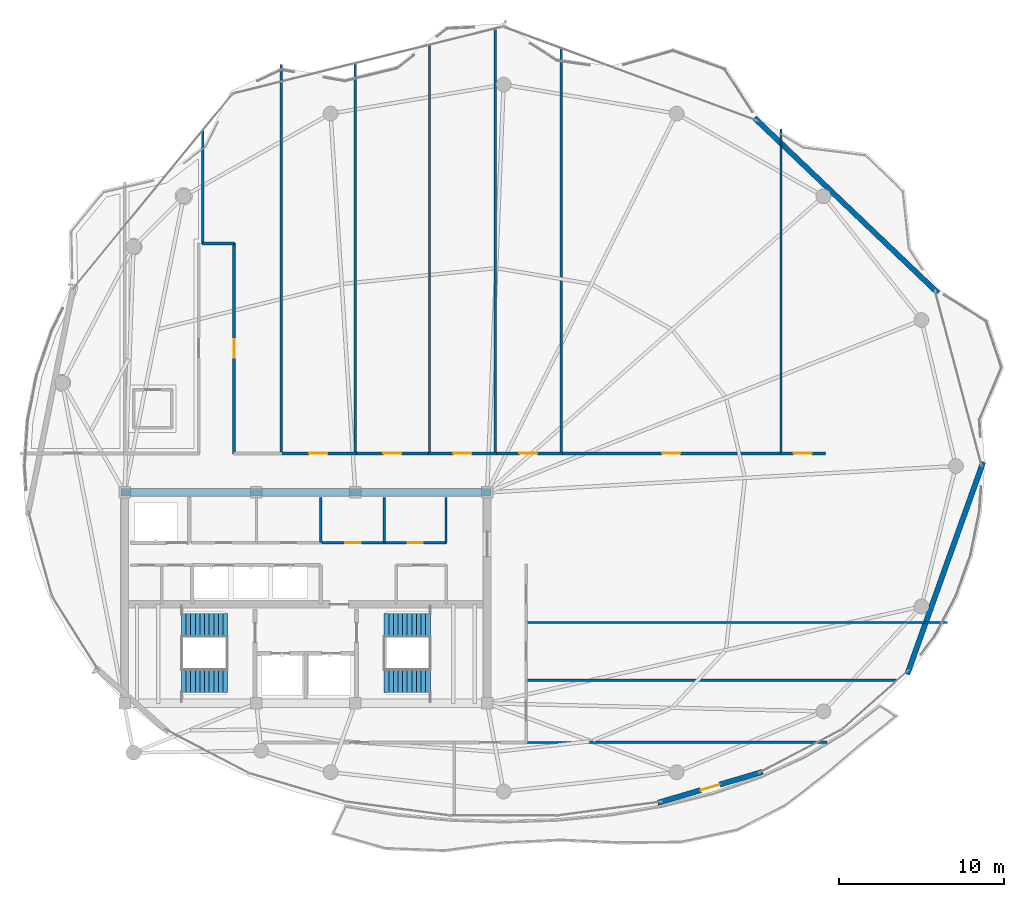
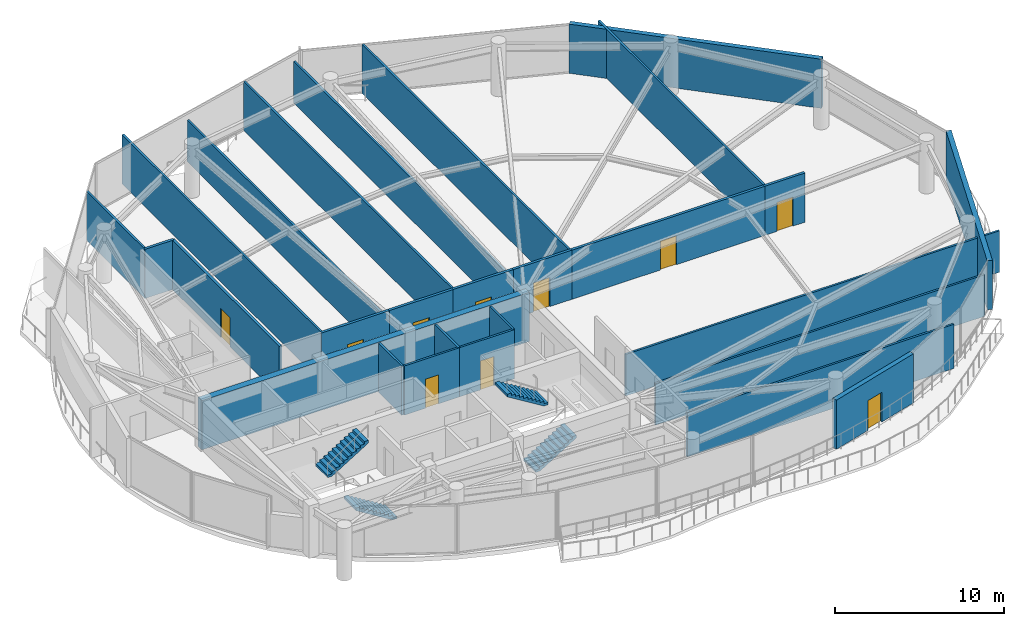
# One storey, part 25 of 29: 27 walls, 10 doors, 4 stair flights, 10 openings, 2 elements without a shape of their own.
"""IFC4 building model written with IfcOpenShell, lengths in metres."""

from ifc_helpers import new_model, si_unit, direction, frame, frame_2d, origin, place, context, subcontext, project, spatial, polyline, rectangle, outline, extrude, material, layer, layer_set, type_object, element, fill, aggregate, save


model = new_model("IFC4")

# Units and contexts
model_context = context("Model", 3, precision=1e-05, world=origin(), true_north=direction((0.0, 1.0)))
body_context = subcontext(model_context, "Body", "Model", "MODEL_VIEW")
ifc_project = project(units=[si_unit("LENGTHUNIT", "METRE"), si_unit("AREAUNIT", "SQUARE_METRE"), si_unit("VOLUMEUNIT", "CUBIC_METRE"), si_unit("PLANEANGLEUNIT", "RADIAN"), si_unit("MASSUNIT", "GRAM", prefix="KILO")], contexts=[model_context])

# Site, building, storey
site_placement = place(None, origin())
site = spatial("IfcSite", under=ifc_project, at=site_placement, CompositionType="ELEMENT")
building_placement = place(site_placement, origin())
building = spatial("IfcBuilding", under=site, at=building_placement, Name="Kazevale Care Tower and Concert Hall", CompositionType="ELEMENT")
storey_placement = place(building_placement, frame((0.0, 0.0, 281.39990234375)))
storey = spatial("IfcBuildingStorey", under=building, at=storey_placement, Name="L74", CompositionType="ELEMENT", Elevation=281.39990234375)

# Wall
ifc_material_1 = material(Name="Acoustic Gypsum on Steel Stud", Category="steel")
ifc_layer_1 = layer(ifc_material_1, 0.139892578125)
ifc_layer_set_1 = layer_set([ifc_layer_1], Name="Acoustic Gypsum on Steel Stud")
wall_type_1 = type_object("IfcWallType", Name="Acoustic Care & Suite Partition 140", PredefinedType="PARTITIONING", material=ifc_layer_set_1)
wall_1_placement = place(storey_placement, frame((33.89990234375, 33.35009765625, 0.0), z_axis=(0.0, 0.0, 1.0), x_axis=(0.0, 1.0, 0.0)))
element("IfcWall", 1, at=wall_1_placement, inside=storey, type_object=wall_type_1, Name="wall:L74:c_rpl_e", PredefinedType="PARTITIONING", context=body_context, shape_type="SweptSolid", body=[
    extrude(rectangle(XDim=2.75, YDim=0.139892578125, at=frame_2d((1.375, 0.0))), origin(), (0.0, 0.0, 1.0), 3.56005859375),
])

# Wall, opening, door
wall_2_placement = place(storey_placement, frame((33.97998046875, 33.35009765625, 0.0), z_axis=(0.0, 0.0, 1.0), x_axis=(1.0, 0.0, 0.0)))
wall_2 = element("IfcWall", 2, at=wall_2_placement, inside=storey, type_object=wall_type_1, Name="wall:L74:c_rpm1_s", PredefinedType="PARTITIONING", context=body_context, shape_type="SweptSolid", body=[
    extrude(rectangle(XDim=3.77001953125, YDim=0.139892578125, at=frame_2d((1.885009765625, 0.0))), origin(), (0.0, 0.0, 1.0), 3.56005859375),
])
opening_1_placement = place(wall_2_placement, frame((1.425048828125, 0.0, 0.0)))
opening_1 = element("IfcOpeningElement", 3, at=opening_1_placement, cuts=wall_2, Name="Opening ID-900", PredefinedType="OPENING", context=body_context, shape_type="SweptSolid", body=[
    extrude(rectangle(XDim=0.919921875, YDim=2.10009765625, at=frame_2d((0.4599609375, 1.050048828125))), frame((0.0, 0.079833984375, 0.0), z_axis=(0.0, -1.0, 0.0), x_axis=(1.0, 0.0, 0.0)), (0.0, 0.0, 1.0), 0.159912109375),
])
ifc_material_2 = material(Name="Oak Timber Fire Leaf", Category="wood")
door_type_1 = type_object("IfcDoorType", Name="Bathroom & Service Door 920x2100", OperationType="NOTDEFINED", PredefinedType="DOOR", material=ifc_material_2)
door_1_placement = place(opening_1_placement, origin())
door_1 = element("IfcDoor", 4, at=door_1_placement, inside=storey, type_object=door_type_1, Name="door:L74:d_rpm1", OperationType="SINGLE_SWING_LEFT", OverallHeight=2.10009765625, OverallWidth=0.919921875, PredefinedType="DOOR", context=body_context, shape_type="SweptSolid", body=[
    extrude(rectangle(XDim=0.919921875, YDim=2.10009765625, at=frame_2d((0.4599609375, 1.050048828125))), frame((0.0, 0.02490234375, 0.0), z_axis=(0.0, -1.0, 0.0), x_axis=(1.0, 0.0, 0.0)), (0.0, 0.0, 1.0), 0.050048828125),
])
fill(opening_1, door_1)

wall_3_placement = place(storey_placement, frame((37.75, 33.35009765625, 0.0), z_axis=(0.0, 0.0, 1.0), x_axis=(1.0, 0.0, 0.0)))
wall_3 = element("IfcWall", 5, at=wall_3_placement, inside=storey, type_object=wall_type_1, Name="wall:L74:c_rpm2_s", PredefinedType="PARTITIONING", context=body_context, shape_type="SweptSolid", body=[
    extrude(rectangle(XDim=3.77001953125, YDim=0.139892578125, at=frame_2d((1.885009765625, 0.0))), origin(), (0.0, 0.0, 1.0), 3.56005859375),
])
opening_2_placement = place(wall_3_placement, frame((1.425048828125, 0.0, 0.0)))
opening_2 = element("IfcOpeningElement", 6, at=opening_2_placement, cuts=wall_3, Name="Opening ID-900", PredefinedType="OPENING", context=body_context, shape_type="SweptSolid", body=[
    extrude(rectangle(XDim=0.919921875, YDim=2.10009765625, at=frame_2d((0.4599609375, 1.050048828125))), frame((0.0, 0.079833984375, 0.0), z_axis=(0.0, -1.0, 0.0), x_axis=(1.0, 0.0, 0.0)), (0.0, 0.0, 1.0), 0.159912109375),
])
door_2_placement = place(opening_2_placement, origin())
door_2 = element("IfcDoor", 7, at=door_2_placement, inside=storey, type_object=door_type_1, Name="door:L74:d_rpm2", OperationType="SINGLE_SWING_RIGHT", OverallHeight=2.10009765625, OverallWidth=0.919921875, PredefinedType="DOOR", context=body_context, shape_type="SweptSolid", body=[
    extrude(rectangle(XDim=0.919921875, YDim=2.10009765625, at=frame_2d((0.4599609375, 1.050048828125))), frame((0.0, 0.02490234375, 0.0), z_axis=(0.0, -1.0, 0.0), x_axis=(1.0, 0.0, 0.0)), (0.0, 0.0, 1.0), 0.050048828125),
])
fill(opening_2, door_2)

# Walls
for number, where, z_axis, x_axis, name in (
    (8, (37.75, 33.35009765625, 0.0), (0.0, 0.0, 1.0), (0.0, 1.0, 0.0), "wall:L74:c_rpm_m"),
    (9, (41.5, 33.35009765625, 0.0), (0.0, 0.0, 1.0), (0.0, 1.0, 0.0), "wall:L74:c_rpm_e"),
):
    element("IfcWall", number, at=place(storey_placement, frame(where, z_axis=z_axis, x_axis=x_axis)), inside=storey, type_object=wall_type_1, Name=name, PredefinedType="PARTITIONING", context=body_context, shape_type="SweptSolid", body=[
        extrude(rectangle(XDim=2.75, YDim=0.139892578125, at=frame_2d((1.375, 0.0))), origin(), (0.0, 0.0, 1.0), 3.56005859375),
    ])
wall_4_placement = place(storey_placement, frame((26.75, 58.376708984375, 0.0), z_axis=(0.0, 0.0, 1.0), x_axis=(0.0, -1.0, 0.0)))
element("IfcWall", 10, at=wall_4_placement, inside=storey, type_object=wall_type_1, Name="wall:L74:auto_019", PredefinedType="PARTITIONING", context=body_context, shape_type="SweptSolid", body=[
    extrude(rectangle(XDim=6.90673828125, YDim=0.139892578125, at=frame_2d((3.453369140625, 0.0))), origin(), (0.0, 0.0, 1.0), 3.56005859375),
])
wall_5_placement = place(storey_placement, frame((31.5, 62.37890625, 0.0), z_axis=(0.0, 0.0, 1.0), x_axis=(0.0, -1.0, 0.0)))
element("IfcWall", 11, at=wall_5_placement, inside=storey, type_object=wall_type_1, Name="wall:L74:auto_020", PredefinedType="PARTITIONING", context=body_context, shape_type="SweptSolid", body=[
    extrude(rectangle(XDim=23.6337890625, YDim=0.139892578125, at=frame_2d((11.81689453125, 0.0))), origin(), (0.0, 0.0, 1.0), 3.56005859375),
])
wall_6_placement = place(storey_placement, frame((36.0, 62.435302734375, 0.0), z_axis=(0.0, 0.0, 1.0), x_axis=(0.0, -1.0, 0.0)))
element("IfcWall", 12, at=wall_6_placement, inside=storey, type_object=wall_type_1, Name="wall:L74:auto_021", PredefinedType="PARTITIONING", context=body_context, shape_type="SweptSolid", body=[
    extrude(rectangle(XDim=23.690185546875, YDim=0.139892578125, at=frame_2d((11.84521484375, 0.0))), origin(), (0.0, 0.0, 1.0), 3.006103515625),
])
wall_7_placement = place(storey_placement, frame((40.5, 63.55224609375, 0.0), z_axis=(0.0, 0.0, 1.0), x_axis=(0.0, -1.0, 0.0)))
element("IfcWall", 13, at=wall_7_placement, inside=storey, type_object=wall_type_1, Name="wall:L74:auto_022", PredefinedType="PARTITIONING", context=body_context, shape_type="SweptSolid", body=[
    extrude(rectangle(XDim=24.80712890625, YDim=0.139892578125, at=frame_2d((12.403564453125, 0.0))), origin(), (0.0, 0.0, 1.0), 3.56005859375),
])
wall_8_placement = place(storey_placement, frame((44.5, 64.545166015625, 0.0), z_axis=(0.0, 0.0, 1.0), x_axis=(0.0, -1.0, 0.0)))
element("IfcWall", 14, at=wall_8_placement, inside=storey, type_object=wall_type_1, Name="wall:L74:auto_023", PredefinedType="PARTITIONING", context=body_context, shape_type="SweptSolid", body=[
    extrude(rectangle(XDim=25.800048828125, YDim=0.139892578125, at=frame_2d((12.89990234375, 0.0))), origin(), (0.0, 0.0, 1.0), 3.006103515625),
])
wall_9_placement = place(storey_placement, frame((48.5, 63.344482421875, 0.0), z_axis=(0.0, 0.0, 1.0), x_axis=(0.0, -1.0, 0.0)))
element("IfcWall", 15, at=wall_9_placement, inside=storey, type_object=wall_type_1, Name="wall:L74:auto_024", PredefinedType="PARTITIONING", context=body_context, shape_type="SweptSolid", body=[
    extrude(rectangle(XDim=24.599365234375, YDim=0.139892578125, at=frame_2d((12.2998046875, 0.0))), origin(), (0.0, 0.0, 1.0), 3.56005859375),
])
wall_10_placement = place(storey_placement, frame((61.840087890625, 58.464111328125, 0.0), z_axis=(0.0, 0.0, 1.0), x_axis=(0.0, -1.0, 0.0)))
element("IfcWall", 16, at=wall_10_placement, inside=storey, type_object=wall_type_1, Name="wall:L74:auto_025", PredefinedType="PARTITIONING", context=body_context, shape_type="SweptSolid", body=[
    extrude(rectangle(XDim=19.718994140625, YDim=0.139892578125, at=frame_2d((9.859375, 0.0))), origin(), (0.0, 0.0, 1.0), 3.56005859375),
])
wall_11_placement = place(storey_placement, frame((46.344970703125, 25.0, 0.0), z_axis=(0.0, 0.0, 1.0), x_axis=(1.0, 0.0, 0.0)))
element("IfcWall", 17, at=wall_11_placement, inside=storey, type_object=wall_type_1, Name="wall:L74:auto_026", PredefinedType="PARTITIONING", context=body_context, shape_type="SweptSolid", body=[
    extrude(rectangle(XDim=22.53857421875, YDim=0.139892578125, at=frame_2d((11.269287109375, 0.0))), origin(), (0.0, 0.0, 1.0), 3.006103515625),
])
wall_12_placement = place(storey_placement, frame((64.62109375, 21.242919921875, 0.0), z_axis=(0.0, 0.0, 1.0), x_axis=(-0.999999524525, -0.000975166183, 0.0)))
element("IfcWall", 18, at=wall_12_placement, inside=storey, type_object=wall_type_1, Name="wall:L74:auto_027", PredefinedType="PARTITIONING", context=body_context, shape_type="SweptSolid", body=[
    extrude(rectangle(XDim=18.276123046875, YDim=0.139892578125, at=frame_2d((9.13818359375, 0.0))), origin(), (0.0, 0.0, 1.0), 3.196044921875),
])
wall_13_placement = place(storey_placement, frame((46.344970703125, 28.5, 0.0), z_axis=(0.0, 0.0, 1.0), x_axis=(1.0, 0.0, 0.0)))
element("IfcWall", 19, at=wall_13_placement, inside=storey, type_object=wall_type_1, Name="wall:L74:auto_028", PredefinedType="PARTITIONING", context=body_context, shape_type="SweptSolid", body=[
    extrude(rectangle(XDim=25.588134765625, YDim=0.139892578125, at=frame_2d((12.7939453125, 0.0))), origin(), (0.0, 0.0, 1.0), 3.006103515625),
])
ifc_material_3 = material(Name="Concrete C50", Category="concrete")
ifc_layer_2 = layer(ifc_material_3, 0.449951171875)
ifc_layer_set_2 = layer_set([ifc_layer_2], Name="Concrete C50")
wall_type_2 = type_object("IfcWallType", Name="Core Shear Wall 450 C50", PredefinedType="SHEAR", material=ifc_layer_set_2)
wall_14_placement = place(storey_placement, frame((21.77490234375, 36.39990234375, 0.0), z_axis=(0.0, 0.0, 1.0), x_axis=(1.0, 0.0, 0.0)))
element("IfcWall", 20, at=wall_14_placement, inside=storey, type_object=wall_type_2, Name="wall:L74:core:N", PredefinedType="SHEAR", context=body_context, shape_type="SweptSolid", body=[
    extrude(rectangle(XDim=22.4501953125, YDim=0.449951171875, at=frame_2d((11.22509765625, 0.0))), origin(), (0.0, 0.0, 1.0), 3.56005859375),
])

# Wall, opening, door
ifc_material_4 = material(Name="Concrete C40 and Acoustic Gypsum", Category="concrete")
ifc_layer_3 = layer(ifc_material_4, 0.179931640625)
ifc_layer_set_3 = layer_set([ifc_layer_3], Name="Concrete C40 and Acoustic Gypsum")
wall_type_3 = type_object("IfcWallType", Name="Fire-Rated Corridor & Party Wall 180", PredefinedType="PARTITIONING", material=ifc_layer_set_3)
wall_15_placement = place(storey_placement, frame((28.64990234375, 51.530029296875, 0.0), z_axis=(0.0, 0.0, 1.0), x_axis=(0.0, -1.0, 0.0)))
wall_15 = element("IfcWall", 21, at=wall_15_placement, inside=storey, type_object=wall_type_3, Name="wall:L74:auto_004", PredefinedType="PARTITIONING", context=body_context, shape_type="SweptSolid", body=[
    extrude(rectangle(XDim=12.784912109375, YDim=0.179931640625, at=frame_2d((6.392578125, 0.0))), origin(), (0.0, 0.0, 1.0), 3.56005859375),
])
opening_3_placement = place(wall_15_placement, frame((5.843017578125, 0.0, 0.0)))
opening_3 = element("IfcOpeningElement", 22, at=opening_3_placement, cuts=wall_15, Name="Opening ID-1100", PredefinedType="OPENING", context=body_context, shape_type="SweptSolid", body=[
    extrude(rectangle(XDim=1.10009765625, YDim=2.10009765625, at=frame_2d((0.550048828125, 1.050048828125))), frame((0.0, 0.099853515625, 0.0), z_axis=(0.0, -1.0, 0.0), x_axis=(1.0, 0.0, 0.0)), (0.0, 0.0, 1.0), 0.199951171875),
])
door_type_2 = type_object("IfcDoorType", Name="Care Bedroom Accessible Door 1100x2100", OperationType="NOTDEFINED", PredefinedType="DOOR", material=ifc_material_2)
door_3_placement = place(opening_3_placement, origin())
door_3 = element("IfcDoor", 23, at=door_3_placement, inside=storey, type_object=door_type_2, Name="door:L74:ad_004", OperationType="SINGLE_SWING_LEFT", OverallHeight=2.10009765625, OverallWidth=1.10009765625, PredefinedType="DOOR", context=body_context, shape_type="SweptSolid", body=[
    extrude(rectangle(XDim=1.10009765625, YDim=2.10009765625, at=frame_2d((0.550048828125, 1.050048828125))), frame((0.0, 0.02490234375, 0.0), z_axis=(0.0, -1.0, 0.0), x_axis=(1.0, 0.0, 0.0)), (0.0, 0.0, 1.0), 0.050048828125),
])
fill(opening_3, door_3)

# Wall
wall_16_placement = place(storey_placement, frame((26.68505859375, 51.5, 0.0), z_axis=(0.0, 0.0, 1.0), x_axis=(1.0, 0.0, 0.0)))
element("IfcWall", 24, at=wall_16_placement, inside=storey, type_object=wall_type_3, Name="wall:L74:auto_006", PredefinedType="PARTITIONING", context=body_context, shape_type="SweptSolid", body=[
    extrude(rectangle(XDim=1.994873046875, YDim=0.179931640625, at=frame_2d((0.99755859375, 0.0))), origin(), (0.0, 0.0, 1.0), 3.56005859375),
])

# Wall, opening, door
wall_17_placement = place(storey_placement, frame((31.43505859375, 38.77490234375, 0.0), z_axis=(0.0, 0.0, 1.0), x_axis=(1.0, 0.0, 0.0)))
wall_17 = element("IfcWall", 25, at=wall_17_placement, inside=storey, type_object=wall_type_3, Name="wall:L74:auto_007", PredefinedType="PARTITIONING", context=body_context, shape_type="SweptSolid", body=[
    extrude(rectangle(XDim=4.6298828125, YDim=0.179931640625, at=frame_2d((2.31494140625, 0.0))), origin(), (0.0, 0.0, 1.0), 3.56005859375),
])
opening_4_placement = place(wall_17_placement, frame((1.764892578125, 0.0, 0.0)))
opening_4 = element("IfcOpeningElement", 26, at=opening_4_placement, cuts=wall_17, Name="Opening ID-1100", PredefinedType="OPENING", context=body_context, shape_type="SweptSolid", body=[
    extrude(rectangle(XDim=1.10009765625, YDim=2.10009765625, at=frame_2d((0.550048828125, 1.050048828125))), frame((0.0, 0.099853515625, 0.0), z_axis=(0.0, -1.0, 0.0), x_axis=(1.0, 0.0, 0.0)), (0.0, 0.0, 1.0), 0.199951171875),
])
door_4_placement = place(opening_4_placement, origin())
door_4 = element("IfcDoor", 27, at=door_4_placement, inside=storey, type_object=door_type_2, Name="door:L74:ad_007", OperationType="SINGLE_SWING_LEFT", OverallHeight=2.10009765625, OverallWidth=1.10009765625, PredefinedType="DOOR", context=body_context, shape_type="SweptSolid", body=[
    extrude(rectangle(XDim=1.10009765625, YDim=2.10009765625, at=frame_2d((0.550048828125, 1.050048828125))), frame((0.0, 0.02490234375, 0.0), z_axis=(0.0, -1.0, 0.0), x_axis=(1.0, 0.0, 0.0)), (0.0, 0.0, 1.0), 0.050048828125),
])
fill(opening_4, door_4)

wall_18_placement = place(storey_placement, frame((35.93505859375, 38.77490234375, 0.0), z_axis=(0.0, 0.0, 1.0), x_axis=(1.0, 0.0, 0.0)))
wall_18 = element("IfcWall", 28, at=wall_18_placement, inside=storey, type_object=wall_type_3, Name="wall:L74:auto_008", PredefinedType="PARTITIONING", context=body_context, shape_type="SweptSolid", body=[
    extrude(rectangle(XDim=4.6298828125, YDim=0.179931640625, at=frame_2d((2.31494140625, 0.0))), origin(), (0.0, 0.0, 1.0), 3.56005859375),
])
opening_5_placement = place(wall_18_placement, frame((1.764892578125, 0.0, 0.0)))
opening_5 = element("IfcOpeningElement", 29, at=opening_5_placement, cuts=wall_18, Name="Opening ID-1100", PredefinedType="OPENING", context=body_context, shape_type="SweptSolid", body=[
    extrude(rectangle(XDim=1.10009765625, YDim=2.10009765625, at=frame_2d((0.550048828125, 1.050048828125))), frame((0.0, 0.099853515625, 0.0), z_axis=(0.0, -1.0, 0.0), x_axis=(1.0, 0.0, 0.0)), (0.0, 0.0, 1.0), 0.199951171875),
])
door_5_placement = place(opening_5_placement, origin())
door_5 = element("IfcDoor", 30, at=door_5_placement, inside=storey, type_object=door_type_2, Name="door:L74:ad_008", OperationType="SINGLE_SWING_LEFT", OverallHeight=2.10009765625, OverallWidth=1.10009765625, PredefinedType="DOOR", context=body_context, shape_type="SweptSolid", body=[
    extrude(rectangle(XDim=1.10009765625, YDim=2.10009765625, at=frame_2d((0.550048828125, 1.050048828125))), frame((0.0, 0.02490234375, 0.0), z_axis=(0.0, -1.0, 0.0), x_axis=(1.0, 0.0, 0.0)), (0.0, 0.0, 1.0), 0.050048828125),
])
fill(opening_5, door_5)

wall_19_placement = place(storey_placement, frame((40.43505859375, 38.77490234375, 0.0), z_axis=(0.0, 0.0, 1.0), x_axis=(1.0, 0.0, 0.0)))
wall_19 = element("IfcWall", 31, at=wall_19_placement, inside=storey, type_object=wall_type_3, Name="wall:L74:auto_009", PredefinedType="PARTITIONING", context=body_context, shape_type="SweptSolid", body=[
    extrude(rectangle(XDim=4.1298828125, YDim=0.179931640625, at=frame_2d((2.06494140625, 0.0))), origin(), (0.0, 0.0, 1.0), 3.56005859375),
])
opening_6_placement = place(wall_19_placement, frame((1.514892578125, 0.0, 0.0)))
opening_6 = element("IfcOpeningElement", 32, at=opening_6_placement, cuts=wall_19, Name="Opening ID-1100", PredefinedType="OPENING", context=body_context, shape_type="SweptSolid", body=[
    extrude(rectangle(XDim=1.10009765625, YDim=2.10009765625, at=frame_2d((0.550048828125, 1.050048828125))), frame((0.0, 0.099853515625, 0.0), z_axis=(0.0, -1.0, 0.0), x_axis=(1.0, 0.0, 0.0)), (0.0, 0.0, 1.0), 0.199951171875),
])
door_6_placement = place(opening_6_placement, origin())
door_6 = element("IfcDoor", 33, at=door_6_placement, inside=storey, type_object=door_type_2, Name="door:L74:ad_009", OperationType="SINGLE_SWING_LEFT", OverallHeight=2.10009765625, OverallWidth=1.10009765625, PredefinedType="DOOR", context=body_context, shape_type="SweptSolid", body=[
    extrude(rectangle(XDim=1.10009765625, YDim=2.10009765625, at=frame_2d((0.550048828125, 1.050048828125))), frame((0.0, 0.02490234375, 0.0), z_axis=(0.0, -1.0, 0.0), x_axis=(1.0, 0.0, 0.0)), (0.0, 0.0, 1.0), 0.050048828125),
])
fill(opening_6, door_6)

wall_20_placement = place(storey_placement, frame((44.43505859375, 38.77490234375, 0.0), z_axis=(0.0, 0.0, 1.0), x_axis=(1.0, 0.0, 0.0)))
wall_20 = element("IfcWall", 34, at=wall_20_placement, inside=storey, type_object=wall_type_3, Name="wall:L74:auto_010", PredefinedType="PARTITIONING", context=body_context, shape_type="SweptSolid", body=[
    extrude(rectangle(XDim=4.1298828125, YDim=0.179931640625, at=frame_2d((2.06494140625, 0.0))), origin(), (0.0, 0.0, 1.0), 3.56005859375),
])
opening_7_placement = place(wall_20_placement, frame((1.514892578125, 0.0, 0.0)))
opening_7 = element("IfcOpeningElement", 35, at=opening_7_placement, cuts=wall_20, Name="Opening ID-1100", PredefinedType="OPENING", context=body_context, shape_type="SweptSolid", body=[
    extrude(rectangle(XDim=1.10009765625, YDim=2.10009765625, at=frame_2d((0.550048828125, 1.050048828125))), frame((0.0, 0.099853515625, 0.0), z_axis=(0.0, -1.0, 0.0), x_axis=(1.0, 0.0, 0.0)), (0.0, 0.0, 1.0), 0.199951171875),
])
door_7_placement = place(opening_7_placement, origin())
door_7 = element("IfcDoor", 36, at=door_7_placement, inside=storey, type_object=door_type_2, Name="door:L74:ad_010", OperationType="SINGLE_SWING_LEFT", OverallHeight=2.10009765625, OverallWidth=1.10009765625, PredefinedType="DOOR", context=body_context, shape_type="SweptSolid", body=[
    extrude(rectangle(XDim=1.10009765625, YDim=2.10009765625, at=frame_2d((0.550048828125, 1.050048828125))), frame((0.0, 0.02490234375, 0.0), z_axis=(0.0, -1.0, 0.0), x_axis=(1.0, 0.0, 0.0)), (0.0, 0.0, 1.0), 0.050048828125),
])
fill(opening_7, door_7)

wall_21_placement = place(storey_placement, frame((48.43505859375, 38.77490234375, 0.0), z_axis=(0.0, 0.0, 1.0), x_axis=(1.0, 0.0, 0.0)))
wall_21 = element("IfcWall", 37, at=wall_21_placement, inside=storey, type_object=wall_type_3, Name="wall:L74:auto_011", PredefinedType="PARTITIONING", context=body_context, shape_type="SweptSolid", body=[
    extrude(rectangle(XDim=13.469970703125, YDim=0.179931640625, at=frame_2d((6.73486328125, 0.0))), origin(), (0.0, 0.0, 1.0), 3.56005859375),
])
opening_8_placement = place(wall_21_placement, frame((6.18505859375, 0.0, 0.0)))
opening_8 = element("IfcOpeningElement", 38, at=opening_8_placement, cuts=wall_21, Name="Opening ID-1100", PredefinedType="OPENING", context=body_context, shape_type="SweptSolid", body=[
    extrude(rectangle(XDim=1.10009765625, YDim=2.10009765625, at=frame_2d((0.550048828125, 1.050048828125))), frame((0.0, 0.099853515625, 0.0), z_axis=(0.0, -1.0, 0.0), x_axis=(1.0, 0.0, 0.0)), (0.0, 0.0, 1.0), 0.199951171875),
])
door_8_placement = place(opening_8_placement, origin())
door_8 = element("IfcDoor", 39, at=door_8_placement, inside=storey, type_object=door_type_2, Name="door:L74:ad_011", OperationType="SINGLE_SWING_LEFT", OverallHeight=2.10009765625, OverallWidth=1.10009765625, PredefinedType="DOOR", context=body_context, shape_type="SweptSolid", body=[
    extrude(rectangle(XDim=1.10009765625, YDim=2.10009765625, at=frame_2d((0.550048828125, 1.050048828125))), frame((0.0, 0.02490234375, 0.0), z_axis=(0.0, -1.0, 0.0), x_axis=(1.0, 0.0, 0.0)), (0.0, 0.0, 1.0), 0.050048828125),
])
fill(opening_8, door_8)

wall_22_placement = place(storey_placement, frame((61.77490234375, 38.77490234375, 0.0), z_axis=(0.0, 0.0, 1.0), x_axis=(1.0, 0.0, 0.0)))
wall_22 = element("IfcWall", 40, at=wall_22_placement, inside=storey, type_object=wall_type_3, Name="wall:L74:auto_012", PredefinedType="PARTITIONING", context=body_context, shape_type="SweptSolid", body=[
    extrude(rectangle(XDim=2.755126953125, YDim=0.179931640625, at=frame_2d((1.37744140625, 0.0))), origin(), (0.0, 0.0, 1.0), 3.56005859375),
])
opening_9_placement = place(wall_22_placement, frame((0.826904296875, 0.0, 0.0)))
opening_9 = element("IfcOpeningElement", 41, at=opening_9_placement, cuts=wall_22, Name="Opening ID-1100", PredefinedType="OPENING", context=body_context, shape_type="SweptSolid", body=[
    extrude(rectangle(XDim=1.10009765625, YDim=2.10009765625, at=frame_2d((0.550048828125, 1.050048828125))), frame((0.0, 0.099853515625, 0.0), z_axis=(0.0, -1.0, 0.0), x_axis=(1.0, 0.0, 0.0)), (0.0, 0.0, 1.0), 0.199951171875),
])
door_9_placement = place(opening_9_placement, origin())
door_9 = element("IfcDoor", 42, at=door_9_placement, inside=storey, type_object=door_type_2, Name="door:L74:ad_012", OperationType="SINGLE_SWING_LEFT", OverallHeight=2.10009765625, OverallWidth=1.10009765625, PredefinedType="DOOR", context=body_context, shape_type="SweptSolid", body=[
    extrude(rectangle(XDim=1.10009765625, YDim=2.10009765625, at=frame_2d((0.550048828125, 1.050048828125))), frame((0.0, 0.02490234375, 0.0), z_axis=(0.0, -1.0, 0.0), x_axis=(1.0, 0.0, 0.0)), (0.0, 0.0, 1.0), 0.050048828125),
])
fill(opening_9, door_9)

# Wall
ifc_material_5 = material(Name="Concrete C40 with Honed Limestone Cladding", Category="masonry")
ifc_layer_4 = layer(ifc_material_5, 0.320068359375)
ifc_layer_set_4 = layer_set([ifc_layer_4], Name="Concrete C40 with Honed Limestone Cladding")
wall_type_4 = type_object("IfcWallType", Name="Tower Honed Limestone Spandrel Wall 320", PredefinedType="STANDARD", material=ifc_layer_set_4)
wall_23_placement = place(storey_placement, frame((74.10791015625, 38.2451171875, 0.0), z_axis=(0.0, 0.0, 1.0), x_axis=(-0.337073777429, -0.941478235845, 0.0)))
element("IfcWall", 43, at=wall_23_placement, inside=storey, type_object=wall_type_4, Name="wall:cw:L74:f01", PredefinedType="STANDARD", context=body_context, shape_type="SweptSolid", body=[
    extrude(rectangle(XDim=13.67333984375, YDim=0.320068359375, at=frame_2d((6.836669921875, 0.0))), origin(), (0.0, 0.0, 1.0), 3.56005859375),
])

# Wall, opening, door
wall_24_placement = place(storey_placement, frame((60.718017578125, 19.43896484375, 0.0), z_axis=(0.0, 0.0, 1.0), x_axis=(-0.959026574291, -0.283316130503, 0.0)))
wall_24 = element("IfcWall", 44, at=wall_24_placement, inside=storey, type_object=wall_type_4, Name="wall:L74:bal_host", PredefinedType="STANDARD", context=body_context, shape_type="SweptSolid", body=[
    extrude(rectangle(XDim=6.6318359375, YDim=0.320068359375, at=frame_2d((3.31591796875, 0.0))), origin(), (0.0, 0.0, 1.0), 3.56005859375),
])
opening_10_placement = place(wall_24_placement, frame((2.716064453125, 0.0, 0.0)))
opening_10 = element("IfcOpeningElement", 45, at=opening_10_placement, cuts=wall_24, Name="Opening BD-1200", PredefinedType="OPENING", context=body_context, shape_type="SweptSolid", body=[
    extrude(rectangle(XDim=1.199951171875, YDim=2.14990234375, at=frame_2d((0.60009765625, 1.074951171875))), frame((0.0, 0.169921875, 0.0), z_axis=(0.0, -1.0, 0.0), x_axis=(1.0, 0.0, 0.0)), (0.0, 0.0, 1.0), 0.340087890625),
])
ifc_material_6 = material(Name="Aluminium 6063-T6 and Low-E Glass", Category="aluminium")
door_type_3 = type_object("IfcDoorType", Name="Sheltered Balcony Glazed Door 1200x2150", OperationType="NOTDEFINED", PredefinedType="DOOR", material=ifc_material_6)
door_10_placement = place(opening_10_placement, origin())
door_10 = element("IfcDoor", 46, at=door_10_placement, inside=storey, type_object=door_type_3, Name="door:L74:BD-1", OperationType="SINGLE_SWING_LEFT", OverallHeight=2.14990234375, OverallWidth=1.199951171875, PredefinedType="DOOR", context=body_context, shape_type="SweptSolid", body=[
    extrude(rectangle(XDim=1.199951171875, YDim=2.14990234375, at=frame_2d((0.60009765625, 1.074951171875))), frame((0.0, 0.02490234375, 0.0), z_axis=(0.0, -1.0, 0.0), x_axis=(1.0, 0.0, 0.0)), (0.0, 0.0, 1.0), 0.050048828125),
])
fill(opening_10, door_10)

# Wall
wall_25_placement = place(storey_placement, frame((60.218994140625, 59.1298828125, 0.0), z_axis=(0.0, 0.0, 1.0), x_axis=(0.723493659852, -0.690331025056, 0.0)))
element("IfcWall", 47, at=wall_25_placement, inside=storey, type_object=wall_type_4, Name="wall:cw:L74:f17", PredefinedType="STANDARD", context=body_context, shape_type="SweptSolid", body=[
    extrude(rectangle(XDim=15.408447265625, YDim=0.320068359375, at=frame_2d((7.7041015625, 0.0))), origin(), (0.0, 0.0, 1.0), 3.56005859375),
])

# Stair, stair flights
ifc_material_7 = material(Name="Concrete C40", Category="concrete")
stair_type = type_object("IfcStairType", Name="Exit Stair Assembly ST1-U", PredefinedType="HALF_TURN_STAIR", material=ifc_material_7)
stair_1_placement = place(storey_placement, origin())
stair_1 = element("IfcStair", 48, at=stair_1_placement, inside=storey, type_object=stair_type, Name="stair:L74:ST1", PredefinedType="HALF_TURN_STAIR")
ifc_layer_5 = layer(ifc_material_7, 0.159912109375)
ifc_layer_set_5 = layer_set([ifc_layer_5], Name="Concrete C40")
stair_flight_type = type_object("IfcStairFlightType", Name="Exit Stair Flight ST1-U", PredefinedType="STRAIGHT", material=ifc_layer_set_5)
stair_flight_1_placement = place(storey_placement, frame((28.25, 24.969970703125, 0.0), z_axis=(0.0, 0.0, 1.0), x_axis=(-1.0, 0.0, 0.0)))
stair_flight_1 = element("IfcStairFlight", 49, at=stair_flight_1_placement, type_object=stair_flight_type, Name="ST1-U flight 1", NumberOfRisers=11, NumberOfTreads=10, PredefinedType="STRAIGHT", RiserHeight=0.172727, TreadLength=0.28, context=body_context, shape_type="SweptSolid", body=[
    extrude(outline(polyline([(0.0, 0.0), (0.0, 0.172607421875), (0.280029296875, 0.172607421875), (0.280029296875, 0.345458984375), (0.56005859375, 0.345458984375), (0.56005859375, 0.51806640625), (0.840087890625, 0.51806640625), (0.840087890625, 0.69091796875), (1.1201171875, 0.69091796875), (1.1201171875, 0.863525390625), (1.39990234375, 0.863525390625), (1.39990234375, 1.036376953125), (1.679931640625, 1.036376953125), (1.679931640625, 1.208984375), (1.9599609375, 1.208984375), (1.9599609375, 1.3818359375), (2.239990234375, 1.3818359375), (2.239990234375, 1.554443359375), (2.52001953125, 1.554443359375), (2.52001953125, 1.727294921875), (2.800048828125, 1.727294921875), (2.800048828125, 1.89990234375), (2.800048828125, 1.539306640625), (0.3046875, 0.0), (0.0, 0.0)])), frame((0.0, 0.719970703125, 0.0), z_axis=(0.0, -1.0, 0.0), x_axis=(1.0, 0.0, 0.0)), (0.0, 0.0, 1.0), 1.43994140625),
])
stair_flight_2_placement = place(storey_placement, frame((25.449951171875, 28.330078125, 1.900146484375), z_axis=(0.0, 0.0, 1.0), x_axis=(1.0, 0.0, 0.0)))
stair_flight_2 = element("IfcStairFlight", 50, at=stair_flight_2_placement, type_object=stair_flight_type, Name="ST1-U flight 2", NumberOfRisers=11, NumberOfTreads=10, PredefinedType="STRAIGHT", RiserHeight=0.172727, TreadLength=0.28, context=body_context, shape_type="SweptSolid", body=[
    extrude(outline(polyline([(0.0, 0.0), (0.0, 0.172607421875), (0.280029296875, 0.172607421875), (0.280029296875, 0.345458984375), (0.56005859375, 0.345458984375), (0.56005859375, 0.51806640625), (0.840087890625, 0.51806640625), (0.840087890625, 0.69091796875), (1.1201171875, 0.69091796875), (1.1201171875, 0.863525390625), (1.39990234375, 0.863525390625), (1.39990234375, 1.036376953125), (1.679931640625, 1.036376953125), (1.679931640625, 1.208984375), (1.9599609375, 1.208984375), (1.9599609375, 1.3818359375), (2.239990234375, 1.3818359375), (2.239990234375, 1.554443359375), (2.52001953125, 1.554443359375), (2.52001953125, 1.727294921875), (2.800048828125, 1.727294921875), (2.800048828125, 1.89990234375), (2.800048828125, 1.539306640625), (0.3046875, 0.0), (0.0, 0.0)])), frame((0.0, 0.719970703125, 0.0), z_axis=(0.0, -1.0, 0.0), x_axis=(1.0, 0.0, 0.0)), (0.0, 0.0, 1.0), 1.43994140625),
])
aggregate(stair_1, [stair_flight_1, stair_flight_2])

stair_2_placement = place(storey_placement, origin())
stair_2 = element("IfcStair", 51, at=stair_2_placement, inside=storey, type_object=stair_type, Name="stair:L74:ST2", PredefinedType="HALF_TURN_STAIR")
stair_flight_3_placement = place(storey_placement, frame((37.75, 24.969970703125, 0.0), z_axis=(0.0, 0.0, 1.0), x_axis=(1.0, 0.0, 0.0)))
stair_flight_3 = element("IfcStairFlight", 52, at=stair_flight_3_placement, type_object=stair_flight_type, Name="ST1-U flight 1", NumberOfRisers=11, NumberOfTreads=10, PredefinedType="STRAIGHT", RiserHeight=0.172727, TreadLength=0.28, context=body_context, shape_type="SweptSolid", body=[
    extrude(outline(polyline([(0.0, 0.0), (0.0, 0.172607421875), (0.280029296875, 0.172607421875), (0.280029296875, 0.345458984375), (0.56005859375, 0.345458984375), (0.56005859375, 0.51806640625), (0.840087890625, 0.51806640625), (0.840087890625, 0.69091796875), (1.1201171875, 0.69091796875), (1.1201171875, 0.863525390625), (1.39990234375, 0.863525390625), (1.39990234375, 1.036376953125), (1.679931640625, 1.036376953125), (1.679931640625, 1.208984375), (1.9599609375, 1.208984375), (1.9599609375, 1.3818359375), (2.239990234375, 1.3818359375), (2.239990234375, 1.554443359375), (2.52001953125, 1.554443359375), (2.52001953125, 1.727294921875), (2.800048828125, 1.727294921875), (2.800048828125, 1.89990234375), (2.800048828125, 1.539306640625), (0.3046875, 0.0), (0.0, 0.0)])), frame((0.0, 0.719970703125, 0.0), z_axis=(0.0, -1.0, 0.0), x_axis=(1.0, 0.0, 0.0)), (0.0, 0.0, 1.0), 1.43994140625),
])
stair_flight_4_placement = place(storey_placement, frame((40.550048828125, 28.330078125, 1.900146484375), z_axis=(0.0, 0.0, 1.0), x_axis=(-1.0, 0.0, 0.0)))
stair_flight_4 = element("IfcStairFlight", 53, at=stair_flight_4_placement, type_object=stair_flight_type, Name="ST1-U flight 2", NumberOfRisers=11, NumberOfTreads=10, PredefinedType="STRAIGHT", RiserHeight=0.172727, TreadLength=0.28, context=body_context, shape_type="SweptSolid", body=[
    extrude(outline(polyline([(0.0, 0.0), (0.0, 0.172607421875), (0.280029296875, 0.172607421875), (0.280029296875, 0.345458984375), (0.56005859375, 0.345458984375), (0.56005859375, 0.51806640625), (0.840087890625, 0.51806640625), (0.840087890625, 0.69091796875), (1.1201171875, 0.69091796875), (1.1201171875, 0.863525390625), (1.39990234375, 0.863525390625), (1.39990234375, 1.036376953125), (1.679931640625, 1.036376953125), (1.679931640625, 1.208984375), (1.9599609375, 1.208984375), (1.9599609375, 1.3818359375), (2.239990234375, 1.3818359375), (2.239990234375, 1.554443359375), (2.52001953125, 1.554443359375), (2.52001953125, 1.727294921875), (2.800048828125, 1.727294921875), (2.800048828125, 1.89990234375), (2.800048828125, 1.539306640625), (0.3046875, 0.0), (0.0, 0.0)])), frame((0.0, 0.719970703125, 0.0), z_axis=(0.0, -1.0, 0.0), x_axis=(1.0, 0.0, 0.0)), (0.0, 0.0, 1.0), 1.43994140625),
])
aggregate(stair_2, [stair_flight_3, stair_flight_4])

save(model, "model.ifc")
